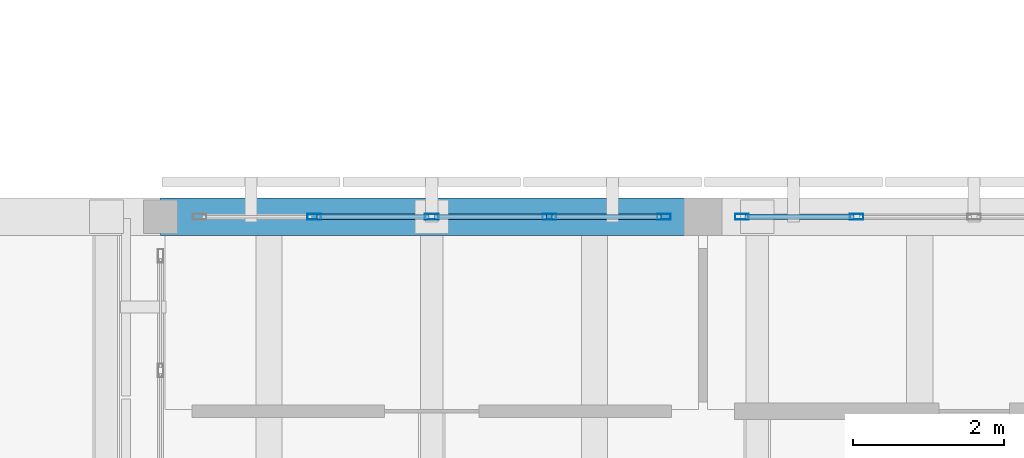
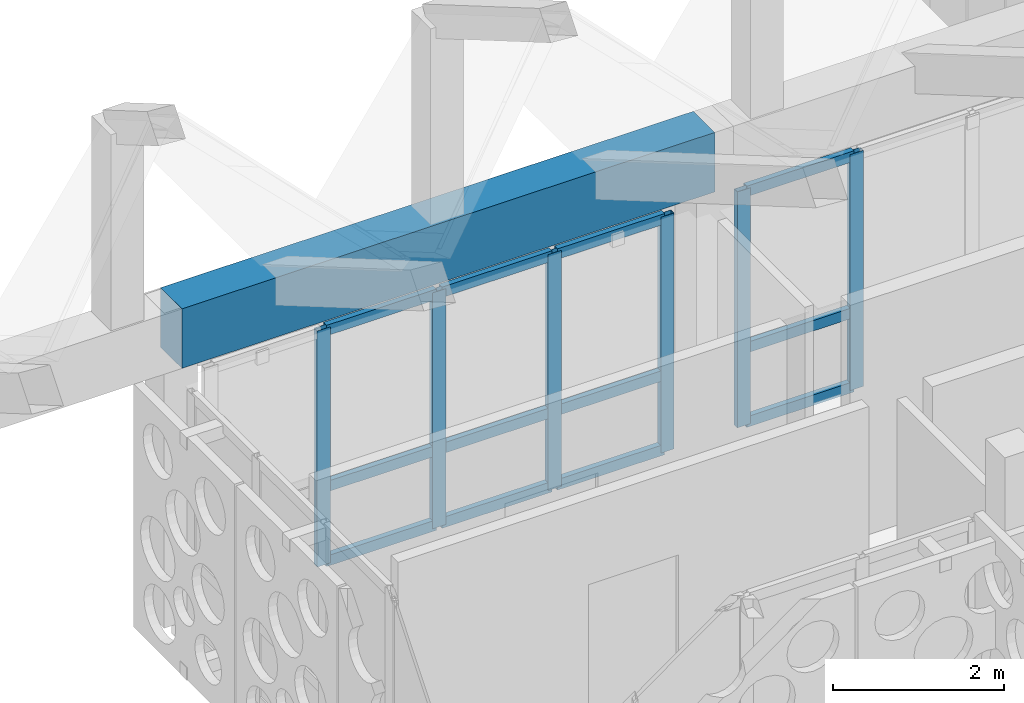
# One storey, part 61 of 171: 18 members, 1 beam, 2 elements without a shape of their own.
"""IFC4 building model written with IfcOpenShell, lengths in metres."""

import ifcopenshell
import ifcopenshell.guid

model = None  # the IFC model being written
_history = None  # IfcOwnerHistory: only IFC2X3 demands one
_inside = {}  # id of a spatial element -> (the spatial element, [elements in it])
_under = {}  # id of a project, library or spatial element -> (it, [spatial elements below it])
_declared = {}  # id of a project -> (the project, [libraries it declares])
_typed = {}  # id of a type object -> (the type object, [elements of that type])
_made_of = {}  # id of a material, layer set ... -> (it, [elements and type objects made of it])


def new_model(schema):
    """Start an empty IFC model of exactly this schema.

    Asked for "IFC4X3", IfcOpenShell would pick the latest addendum, in which some entities
    have other attributes; the version numbers below select the first issue.
    IFC2X3 requires an IfcOwnerHistory on every rooted entity: one is made here for all.
    """
    global model, _history
    if schema == "IFC4X3":
        model = ifcopenshell.file(schema_version=(4, 3, 0, 0))
    else:
        model = ifcopenshell.file(schema=schema)
    _inside.clear()
    _under.clear()
    _declared.clear()
    _typed.clear()
    _made_of.clear()
    _history = None
    if model.schema == "IFC2X3":
        org = make("IfcOrganization", Name="unknown")
        user = make(
            "IfcPersonAndOrganization",
            ThePerson=make("IfcPerson", FamilyName="unknown"),
            TheOrganization=org,
        )
        app = make(
            "IfcApplication",
            ApplicationDeveloper=org,
            Version="unknown",
            ApplicationFullName="unknown",
            ApplicationIdentifier="unknown",
        )
        _history = make(
            "IfcOwnerHistory",
            OwningUser=user,
            OwningApplication=app,
            ChangeAction="ADDED",
            CreationDate=0,
        )
    return model


def make(cls, **values):
    """One entity of the class cls with the attributes given. An attribute that is None is left unset."""
    return model.create_entity(
        cls, **{name: value for name, value in values.items() if value is not None}
    )


def rooted(cls, **values):
    """An entity with a GlobalId (a new one), such as an element, a storey or a relation."""
    return make(cls, GlobalId=ifcopenshell.guid.new(), OwnerHistory=_history, **values)


def si_unit(unit_type, name, prefix=None):
    """IfcSIUnit, for example si_unit("LENGTHUNIT", "METRE", prefix="MILLI")."""
    return make("IfcSIUnit", UnitType=unit_type, Prefix=prefix, Name=name)


def assignment(units):
    """IfcUnitAssignment: the units of a project."""
    return None if units is None else make("IfcUnitAssignment", Units=units)


def point(xyz):
    """IfcCartesianPoint."""
    return None if xyz is None else make("IfcCartesianPoint", Coordinates=xyz)


def direction(xyz):
    """IfcDirection."""
    return None if xyz is None else make("IfcDirection", DirectionRatios=xyz)


def frame(location, z_axis=None, x_axis=None):
    """IfcAxis2Placement3D, a coordinate frame: its origin and axes. An axis left out is left unset."""
    return make(
        "IfcAxis2Placement3D",
        Location=point(location),
        Axis=direction(z_axis),
        RefDirection=direction(x_axis),
    )


def frame_2d(location, x_axis=None):
    """IfcAxis2Placement2D, a coordinate frame in the plane: its origin and x axis."""
    return make(
        "IfcAxis2Placement2D", Location=point(location), RefDirection=direction(x_axis)
    )


def origin():
    """The frame at (0, 0, 0) with its axes left unset."""
    return frame((0.0, 0.0, 0.0))


def origin_2d():
    """The frame at (0, 0) in the plane with its x axis left unset."""
    return frame_2d((0.0, 0.0))


def place(relative_to, where):
    """IfcLocalPlacement: puts the frame where relative to a parent placement (None: the world)."""
    return make(
        "IfcLocalPlacement", PlacementRelTo=relative_to, RelativePlacement=where
    )


def context(
    kind, dimensions, precision=None, world=None, true_north=None, identifier=None
):
    """IfcGeometricRepresentationContext, for example the 3D "Model" context."""
    return make(
        "IfcGeometricRepresentationContext",
        ContextIdentifier=identifier,
        ContextType=kind,
        CoordinateSpaceDimension=dimensions,
        Precision=precision,
        WorldCoordinateSystem=world,
        TrueNorth=true_north,
    )


def subcontext(parent, identifier, kind, view, scale=None):
    """IfcGeometricRepresentationSubContext, for example "Body" below "Model"."""
    return make(
        "IfcGeometricRepresentationSubContext",
        ContextIdentifier=identifier,
        ContextType=kind,
        ParentContext=parent,
        TargetScale=scale,
        TargetView=view,
    )


def project(units=None, contexts=None):
    """IfcProject with its units and contexts."""
    return rooted(
        "IfcProject",
        Name="project",
        RepresentationContexts=contexts,
        UnitsInContext=assignment(units),
    )


def spatial(cls, under=None, at=None, **own):
    """A site, building, storey or space (cls), placed at a placement, below another one or the project."""
    s = rooted(cls, ObjectPlacement=at, **own)
    if under is not None:
        _under.setdefault(under.id(), (under, []))[1].append(s)
    return s


def profile(cls, at=None, kind="AREA", **sizes):
    """A parametric profile (cls). Its sizes go by their IFC names, for example OverallWidth=200.0."""
    return make(cls, ProfileType=kind, Position=at, **sizes)


def rectangle(**sizes):
    """IfcRectangleProfileDef."""
    return profile("IfcRectangleProfileDef", **sizes)


def hollow_rectangle(**sizes):
    """IfcRectangleHollowProfileDef."""
    return profile("IfcRectangleHollowProfileDef", **sizes)


def extrude(swept, where, along, depth):
    """IfcExtrudedAreaSolid: the profile swept, set in the frame where, extruded along a direction by depth."""
    return make(
        "IfcExtrudedAreaSolid",
        SweptArea=swept,
        Position=where,
        ExtrudedDirection=direction(along),
        Depth=depth,
    )


def shape(context_of_items, identifier, shape_type, items):
    """IfcShapeRepresentation: the items that make up one representation, for example the "Body"."""
    return make(
        "IfcShapeRepresentation",
        ContextOfItems=context_of_items,
        RepresentationIdentifier=identifier,
        RepresentationType=shape_type,
        Items=items,
    )


def material(Name=None, Category=None):
    """IfcMaterial."""
    return make("IfcMaterial", Name=Name, Category=Category)


def material_profile(
    of_material, cross_section, Name=None, Category=None, Priority=None
):
    """IfcMaterialProfile: a cross section and its material."""
    return make(
        "IfcMaterialProfile",
        Name=Name,
        Material=of_material,
        Profile=cross_section,
        Priority=Priority,
        Category=Category,
    )


def profile_set(profiles, Name=None, composite=None):
    """IfcMaterialProfileSet."""
    return make(
        "IfcMaterialProfileSet",
        Name=Name,
        MaterialProfiles=profiles,
        CompositeProfile=composite,
    )


def made_of(thing, what):
    """Note that an element or type object is made of a material, layer set ...; save() writes the relation."""
    if what is not None:
        _made_of.setdefault(what.id(), (what, []))[1].append(thing)
    return thing


def type_object(cls, material=None, **own):
    """A type object (cls), such as IfcWallType, which elements share."""
    return made_of(rooted(cls, **own), material)


def element(
    cls,
    number,
    at=None,
    inside=None,
    cuts=None,
    type_object=None,
    material=None,
    context=None,
    identifier="Body",
    shape_type=None,
    held_by="IfcProductDefinitionShape",
    body=None,
    shapes=None,
    **own,
):
    """One element of the class cls, such as IfcWall. Its Tag is "e" and its number.

    at: its placement. inside: the storey or other place that contains it. cuts: it is an
    opening in that element (IfcRelVoidsElement). A single representation is given by context,
    identifier, shape_type and body (its items); several are given by shapes. held_by: the class
    of the entity that holds the representations. save() writes the other relations.
    """
    e = rooted(cls, Tag="e%d" % number, ObjectPlacement=at, **own)
    if body is not None:
        shapes = [shape(context, identifier, shape_type, body)]
    if shapes is not None:
        e.Representation = make(held_by, Representations=shapes)
    if inside is not None:
        _inside.setdefault(inside.id(), (inside, []))[1].append(e)
    if cuts is not None:
        rooted(
            "IfcRelVoidsElement", RelatingBuildingElement=cuts, RelatedOpeningElement=e
        )
    if type_object is not None:
        _typed.setdefault(type_object.id(), (type_object, []))[1].append(e)
    return made_of(e, material)


def aggregate(whole, parts):
    """IfcRelAggregates: a whole, such as a stair, and the parts it consists of."""
    return rooted("IfcRelAggregates", RelatingObject=whole, RelatedObjects=parts)


def save(model, path):
    """Write the relations noted so far, then the file.

    IfcRelAggregates (storeys below a building ...), IfcRelContainedInSpatialStructure (elements
    in a storey), IfcRelDefinesByType, IfcRelAssociatesMaterial and IfcRelDeclares: one each for
    every whole, place, type object, material and project.
    """
    for whole, parts in _under.values():
        aggregate(whole, parts)
    for where, things in _inside.values():
        rooted(
            "IfcRelContainedInSpatialStructure",
            RelatedElements=things,
            RelatingStructure=where,
        )
    for kind, things in _typed.values():
        rooted("IfcRelDefinesByType", RelatedObjects=things, RelatingType=kind)
    for what, things in _made_of.values():
        rooted("IfcRelAssociatesMaterial", RelatedObjects=things, RelatingMaterial=what)
    for by, libraries in _declared.values():
        rooted("IfcRelDeclares", RelatingContext=by, RelatedDefinitions=libraries)
    model.write(path)


model = new_model("IFC4")

# Units and contexts
model_context = context("Model", 3, precision=1e-05, world=origin(), true_north=direction((0.0, 1.0)))
body_context = subcontext(model_context, "Body", "Model", "MODEL_VIEW")
ifc_project = project(units=[si_unit("LENGTHUNIT", "METRE"), si_unit("AREAUNIT", "SQUARE_METRE"), si_unit("VOLUMEUNIT", "CUBIC_METRE"), si_unit("PLANEANGLEUNIT", "RADIAN"), si_unit("MASSUNIT", "GRAM", prefix="KILO")], contexts=[model_context])

# Site, building, storey
site_placement = place(None, origin())
site = spatial("IfcSite", under=ifc_project, at=site_placement, CompositionType="ELEMENT")
building_placement = place(site_placement, origin())
building = spatial("IfcBuilding", under=site, at=building_placement, Name="Aldebral Square Health Centre", CompositionType="ELEMENT")
storey_placement = place(building_placement, frame((0.0, 0.0, 4.5)))
storey = spatial("IfcBuildingStorey", under=building, at=storey_placement, Name="L01", CompositionType="ELEMENT", Elevation=4.5)

# Beam
ifc_material_1 = material(Name="Concrete C40/50", Category="concrete")
ifc_material_profile_1 = material_profile(ifc_material_1, rectangle(XDim=0.5, YDim=0.85009765625, at=origin_2d()), Name="RC 500x850")
ifc_profile_set_1 = profile_set([ifc_material_profile_1], Name="Concrete C40/50")
beam_type = type_object("IfcBeamType", Name="BM-G1", PredefinedType="T_BEAM", material=ifc_profile_set_1)
beam_placement = place(storey_placement, frame((93.60009765625, 100.800048828125, 4.074951171875), z_axis=(1.0, 0.0, 0.0), x_axis=(0.0, 1.0, 0.0)))
element("IfcBeam", 1, at=beam_placement, inside=storey, type_object=beam_type, Name="Waiting Hall diaphragm girder EAVE-N 14", PredefinedType="T_BEAM", context=body_context, shape_type="SweptSolid", body=[
    extrude(rectangle(XDim=0.5, YDim=0.85009765625, at=origin_2d()), origin(), (0.0, 0.0, 1.0), 7.199951171875),
])

# Curtain wall, members
ifc_material_2 = material(Name="Aluminium and low-E solar glass", Category="aluminium")
curtain_wall_type = type_object("IfcCurtainWallType", Name="CW-HALL-SYS", PredefinedType="USERDEFINED", material=ifc_material_2)
curtain_wall_1_placement = place(storey_placement, origin())
curtain_wall_1 = element("IfcCurtainWall", 2, at=curtain_wall_1_placement, inside=storey, type_object=curtain_wall_type, Name="L01 V1 hall curtain wall L01-V1-13-13-N", ObjectType="HALL_CURTAIN_WALL", PredefinedType="USERDEFINED")
ifc_material_3 = material(Name="Anodised aluminium mullion", Category="aluminium")
ifc_material_profile_2 = material_profile(ifc_material_3, hollow_rectangle(XDim=0.074951171875, YDim=0.179931640625, WallThickness=0.00390625, at=origin_2d()), Name="CWM 75x180x4")
ifc_profile_set_2 = profile_set([ifc_material_profile_2], Name="Anodised aluminium mullion")
member_type_1 = type_object("IfcMemberType", Name="CWM-STD", PredefinedType="MULLION", material=ifc_profile_set_2)
member_1_placement = place(storey_placement, frame((100.282470703125, 100.800048828125, 0.0), z_axis=(0.0, 0.0, 1.0), x_axis=(0.0, -1.0, 0.0)))
member_1 = element("IfcMember", 3, at=member_1_placement, type_object=member_type_1, Name="CW2 mullion 1", PredefinedType="MULLION", context=body_context, shape_type="SweptSolid", body=[
    extrude(hollow_rectangle(XDim=0.074951171875, YDim=0.179931640625, WallThickness=0.00390625, at=origin_2d()), origin(), (0.0, 0.0, 1.0), 3.3701171875),
])
member_2_placement = place(storey_placement, frame((98.760009765625, 100.800048828125, 0.0), z_axis=(0.0, 0.0, 1.0), x_axis=(0.0, -1.0, 0.0)))
member_2 = element("IfcMember", 4, at=member_2_placement, type_object=member_type_1, Name="CW2 mullion 2", PredefinedType="MULLION", context=body_context, shape_type="SweptSolid", body=[
    extrude(hollow_rectangle(XDim=0.074951171875, YDim=0.179931640625, WallThickness=0.00390625, at=origin_2d()), origin(), (0.0, 0.0, 1.0), 3.3701171875),
])
member_3_placement = place(storey_placement, frame((97.199951171875, 100.800048828125, 0.0), z_axis=(0.0, 0.0, 1.0), x_axis=(0.0, -1.0, 0.0)))
member_3 = element("IfcMember", 5, at=member_3_placement, type_object=member_type_1, Name="CW2 mullion 3", PredefinedType="MULLION", context=body_context, shape_type="SweptSolid", body=[
    extrude(hollow_rectangle(XDim=0.074951171875, YDim=0.179931640625, WallThickness=0.00390625, at=origin_2d()), origin(), (0.0, 0.0, 1.0), 3.3701171875),
])
member_4_placement = place(storey_placement, frame((95.639892578125, 100.800048828125, 0.0), z_axis=(0.0, 0.0, 1.0), x_axis=(0.0, -1.0, 0.0)))
member_4 = element("IfcMember", 6, at=member_4_placement, type_object=member_type_1, Name="CW2 mullion 4", PredefinedType="MULLION", context=body_context, shape_type="SweptSolid", body=[
    extrude(hollow_rectangle(XDim=0.074951171875, YDim=0.179931640625, WallThickness=0.00390625, at=origin_2d()), origin(), (0.0, 0.0, 1.0), 3.3701171875),
])

curtain_wall_2_placement = place(storey_placement, origin())
curtain_wall_2 = element("IfcCurtainWall", 7, at=curtain_wall_2_placement, inside=storey, type_object=curtain_wall_type, Name="L01 V1 hall curtain wall L01-V1-14-13-N", ObjectType="HALL_CURTAIN_WALL", PredefinedType="USERDEFINED")
member_5_placement = place(storey_placement, frame((102.840087890625, 100.800048828125, 0.0), z_axis=(0.0, 0.0, 1.0), x_axis=(0.0, -1.0, 0.0)))
member_5 = element("IfcMember", 8, at=member_5_placement, type_object=member_type_1, Name="CW2 mullion 4", PredefinedType="MULLION", context=body_context, shape_type="SweptSolid", body=[
    extrude(hollow_rectangle(XDim=0.074951171875, YDim=0.179931640625, WallThickness=0.00390625, at=origin_2d()), origin(), (0.0, 0.0, 1.0), 3.3701171875),
])
member_6_placement = place(storey_placement, frame((101.3173828125, 100.800048828125, 0.0), z_axis=(0.0, 0.0, 1.0), x_axis=(0.0, -1.0, 0.0)))
member_6 = element("IfcMember", 9, at=member_6_placement, type_object=member_type_1, Name="CW2 mullion 5", PredefinedType="MULLION", context=body_context, shape_type="SweptSolid", body=[
    extrude(hollow_rectangle(XDim=0.074951171875, YDim=0.179931640625, WallThickness=0.00390625, at=origin_2d()), origin(), (0.0, 0.0, 1.0), 3.3701171875),
])

# Member
ifc_material_4 = material(Name="Anodised aluminium transom", Category="aluminium")
ifc_material_profile_3 = material_profile(ifc_material_4, hollow_rectangle(XDim=0.074951171875, YDim=0.14990234375, WallThickness=0.00390625, at=origin_2d()), Name="CWT 75x150x4")
ifc_profile_set_3 = profile_set([ifc_material_profile_3], Name="Anodised aluminium transom")
member_type_2 = type_object("IfcMemberType", Name="CWT-STD", PredefinedType="USERDEFINED", material=ifc_profile_set_3)
member_7_placement = place(storey_placement, frame((100.2451171875, 100.800048828125, 0.03759765625), z_axis=(-1.0, 0.0, 0.0), x_axis=(0.0, -1.0, 0.0)))
member_7 = element("IfcMember", 10, at=member_7_placement, type_object=member_type_2, Name="CW2 transom 1.1", ObjectType="TRANSOM", PredefinedType="USERDEFINED", context=body_context, shape_type="SweptSolid", body=[
    extrude(hollow_rectangle(XDim=0.074951171875, YDim=0.14990234375, WallThickness=0.00390625, at=origin_2d()), origin(), (0.0, 0.0, 1.0), 1.447509765625),
])

member_8_placement = place(storey_placement, frame((100.2451171875, 100.800048828125, 1.10009765625), z_axis=(-1.0, 0.0, 0.0), x_axis=(0.0, -1.0, 0.0)))
member_8 = element("IfcMember", 11, at=member_8_placement, type_object=member_type_2, Name="CW2 transom 1.2", ObjectType="TRANSOM", PredefinedType="USERDEFINED", context=body_context, shape_type="SweptSolid", body=[
    extrude(hollow_rectangle(XDim=0.074951171875, YDim=0.14990234375, WallThickness=0.00390625, at=origin_2d()), origin(), (0.0, 0.0, 1.0), 1.447509765625),
])

member_9_placement = place(storey_placement, frame((100.2451171875, 100.800048828125, 3.33251953125), z_axis=(-1.0, 0.0, 0.0), x_axis=(0.0, -1.0, 0.0)))
member_9 = element("IfcMember", 12, at=member_9_placement, type_object=member_type_2, Name="CW2 transom 1.3", ObjectType="TRANSOM", PredefinedType="USERDEFINED", context=body_context, shape_type="SweptSolid", body=[
    extrude(hollow_rectangle(XDim=0.074951171875, YDim=0.14990234375, WallThickness=0.00390625, at=origin_2d()), origin(), (0.0, 0.0, 1.0), 1.447509765625),
])

member_10_placement = place(storey_placement, frame((98.722412109375, 100.800048828125, 0.03759765625), z_axis=(-1.0, 0.0, 0.0), x_axis=(0.0, -1.0, 0.0)))
member_10 = element("IfcMember", 13, at=member_10_placement, type_object=member_type_2, Name="CW2 transom 2.1", ObjectType="TRANSOM", PredefinedType="USERDEFINED", context=body_context, shape_type="SweptSolid", body=[
    extrude(hollow_rectangle(XDim=0.074951171875, YDim=0.14990234375, WallThickness=0.00390625, at=origin_2d()), origin(), (0.0, 0.0, 1.0), 1.48486328125),
])

member_11_placement = place(storey_placement, frame((98.722412109375, 100.800048828125, 1.10009765625), z_axis=(-1.0, 0.0, 0.0), x_axis=(0.0, -1.0, 0.0)))
member_11 = element("IfcMember", 14, at=member_11_placement, type_object=member_type_2, Name="CW2 transom 2.2", ObjectType="TRANSOM", PredefinedType="USERDEFINED", context=body_context, shape_type="SweptSolid", body=[
    extrude(hollow_rectangle(XDim=0.074951171875, YDim=0.14990234375, WallThickness=0.00390625, at=origin_2d()), origin(), (0.0, 0.0, 1.0), 1.48486328125),
])

member_12_placement = place(storey_placement, frame((98.722412109375, 100.800048828125, 3.33251953125), z_axis=(-1.0, 0.0, 0.0), x_axis=(0.0, -1.0, 0.0)))
member_12 = element("IfcMember", 15, at=member_12_placement, type_object=member_type_2, Name="CW2 transom 2.3", ObjectType="TRANSOM", PredefinedType="USERDEFINED", context=body_context, shape_type="SweptSolid", body=[
    extrude(hollow_rectangle(XDim=0.074951171875, YDim=0.14990234375, WallThickness=0.00390625, at=origin_2d()), origin(), (0.0, 0.0, 1.0), 1.48486328125),
])

member_13_placement = place(storey_placement, frame((97.16259765625, 100.800048828125, 0.03759765625), z_axis=(-1.0, 0.0, 0.0), x_axis=(0.0, -1.0, 0.0)))
member_13 = element("IfcMember", 16, at=member_13_placement, type_object=member_type_2, Name="CW2 transom 3.1", ObjectType="TRANSOM", PredefinedType="USERDEFINED", context=body_context, shape_type="SweptSolid", body=[
    extrude(hollow_rectangle(XDim=0.074951171875, YDim=0.14990234375, WallThickness=0.00390625, at=origin_2d()), origin(), (0.0, 0.0, 1.0), 1.485107421875),
])

member_14_placement = place(storey_placement, frame((97.16259765625, 100.800048828125, 1.10009765625), z_axis=(-1.0, 0.0, 0.0), x_axis=(0.0, -1.0, 0.0)))
member_14 = element("IfcMember", 17, at=member_14_placement, type_object=member_type_2, Name="CW2 transom 3.2", ObjectType="TRANSOM", PredefinedType="USERDEFINED", context=body_context, shape_type="SweptSolid", body=[
    extrude(hollow_rectangle(XDim=0.074951171875, YDim=0.14990234375, WallThickness=0.00390625, at=origin_2d()), origin(), (0.0, 0.0, 1.0), 1.485107421875),
])

member_15_placement = place(storey_placement, frame((97.16259765625, 100.800048828125, 3.33251953125), z_axis=(-1.0, 0.0, 0.0), x_axis=(0.0, -1.0, 0.0)))
member_15 = element("IfcMember", 18, at=member_15_placement, type_object=member_type_2, Name="CW2 transom 3.3", ObjectType="TRANSOM", PredefinedType="USERDEFINED", context=body_context, shape_type="SweptSolid", body=[
    extrude(hollow_rectangle(XDim=0.074951171875, YDim=0.14990234375, WallThickness=0.00390625, at=origin_2d()), origin(), (0.0, 0.0, 1.0), 1.485107421875),
])

aggregate(curtain_wall_1, [member_1, member_2, member_3, member_4, member_7, member_8, member_9, member_10, member_11, member_12, member_13, member_14, member_15])

member_16_placement = place(storey_placement, frame((102.802490234375, 100.800048828125, 0.03759765625), z_axis=(-1.0, 0.0, 0.0), x_axis=(0.0, -1.0, 0.0)))
member_16 = element("IfcMember", 19, at=member_16_placement, type_object=member_type_2, Name="CW2 transom 4.1", ObjectType="TRANSOM", PredefinedType="USERDEFINED", context=body_context, shape_type="SweptSolid", body=[
    extrude(hollow_rectangle(XDim=0.074951171875, YDim=0.14990234375, WallThickness=0.00390625, at=origin_2d()), origin(), (0.0, 0.0, 1.0), 1.447509765625),
])

member_17_placement = place(storey_placement, frame((102.802490234375, 100.800048828125, 1.10009765625), z_axis=(-1.0, 0.0, 0.0), x_axis=(0.0, -1.0, 0.0)))
member_17 = element("IfcMember", 20, at=member_17_placement, type_object=member_type_2, Name="CW2 transom 4.2", ObjectType="TRANSOM", PredefinedType="USERDEFINED", context=body_context, shape_type="SweptSolid", body=[
    extrude(hollow_rectangle(XDim=0.074951171875, YDim=0.14990234375, WallThickness=0.00390625, at=origin_2d()), origin(), (0.0, 0.0, 1.0), 1.447509765625),
])

member_18_placement = place(storey_placement, frame((102.802490234375, 100.800048828125, 3.33251953125), z_axis=(-1.0, 0.0, 0.0), x_axis=(0.0, -1.0, 0.0)))
member_18 = element("IfcMember", 21, at=member_18_placement, type_object=member_type_2, Name="CW2 transom 4.3", ObjectType="TRANSOM", PredefinedType="USERDEFINED", context=body_context, shape_type="SweptSolid", body=[
    extrude(hollow_rectangle(XDim=0.074951171875, YDim=0.14990234375, WallThickness=0.00390625, at=origin_2d()), origin(), (0.0, 0.0, 1.0), 1.447509765625),
])

aggregate(curtain_wall_2, [member_5, member_6, member_16, member_17, member_18])

save(model, "model.ifc")
